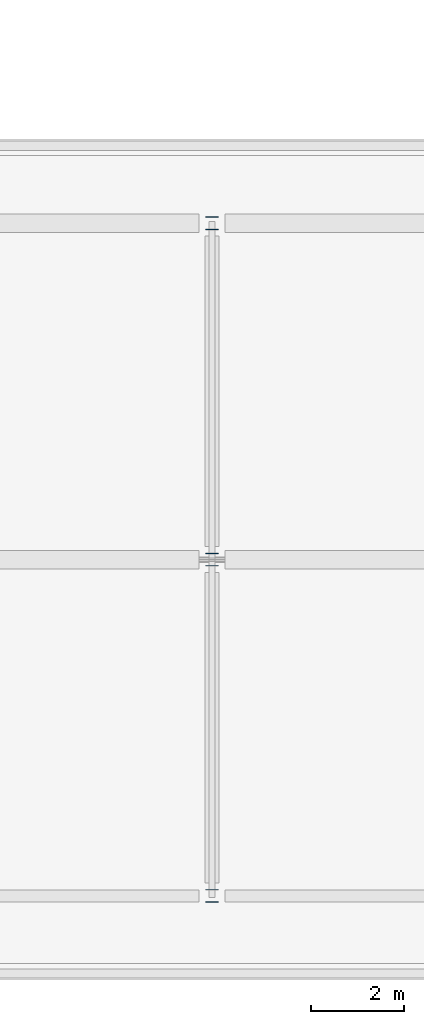
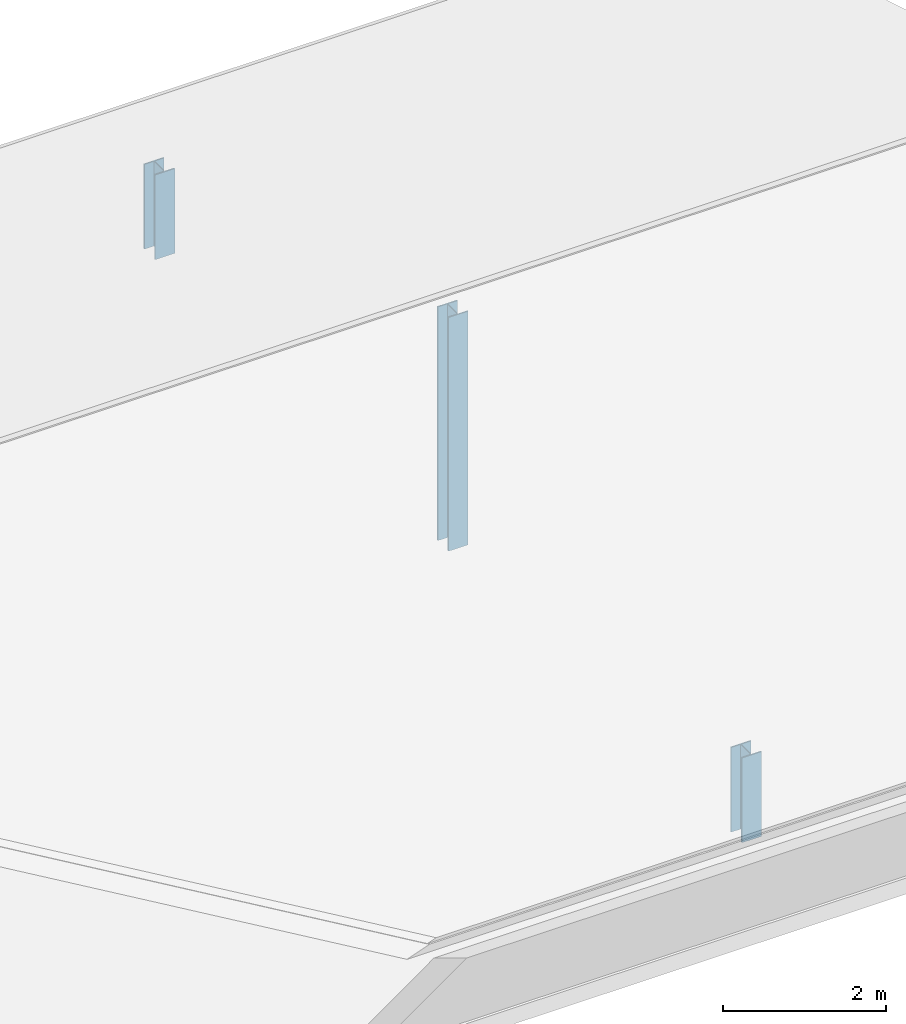
# One storey, part 2 of 60: 3 columns.
"""IFC4 building model written with IfcOpenShell, lengths in metres."""

from ifc_helpers import new_model, si_unit, direction, frame, origin, origin_2d, place, context, subcontext, project, spatial, i_section, extrude, material, material_profile, profile_set, type_object, element, save


model = new_model("IFC4")

# Units and contexts
model_context = context("Model", 3, precision=1e-05, world=origin(), true_north=direction((0.0, 1.0)))
body_context = subcontext(model_context, "Body", "Model", "MODEL_VIEW")
ifc_project = project(units=[si_unit("LENGTHUNIT", "METRE"), si_unit("AREAUNIT", "SQUARE_METRE"), si_unit("VOLUMEUNIT", "CUBIC_METRE"), si_unit("PLANEANGLEUNIT", "RADIAN"), si_unit("MASSUNIT", "GRAM", prefix="KILO")], contexts=[model_context])

# Site, building, storey
site_placement = place(None, origin())
site = spatial("IfcSite", under=ifc_project, at=site_placement, CompositionType="ELEMENT")
building_placement = place(site_placement, origin())
building = spatial("IfcBuilding", under=site, at=building_placement, Name="Suanplinth Sawtooth Commons", CompositionType="ELEMENT")
storey_placement = place(building_placement, frame((0.0, 0.0, 31.5)))
storey = spatial("IfcBuildingStorey", under=building, at=storey_placement, Name="L09", CompositionType="ELEMENT", Elevation=31.5)

# Columns
ifc_material = material(Name="Steel S355JR", Category="steel")
ifc_material_profile = material_profile(ifc_material, i_section(OverallWidth=0.280029296875, OverallDepth=0.280029296875, WebThickness=0.010498046875, FlangeThickness=0.01806640625, at=origin_2d()), Name="HEB 280")
ifc_profile_set = profile_set([ifc_material_profile], Name="Steel S355JR")
column_type = type_object("IfcColumnType", Name="C-11", PredefinedType="COLUMN", material=ifc_profile_set)
column_1_placement = place(storey_placement, frame((43.199951171875, 0.0, 0.0), z_axis=(0.0, 0.0, 1.0), x_axis=(1.0, 0.0, 0.0)))
element("IfcColumn", 1, at=column_1_placement, inside=storey, type_object=column_type, Name="Crown Post D 7", PredefinedType="COLUMN", context=body_context, shape_type="SweptSolid", body=[
    extrude(i_section(OverallWidth=0.280029296875, OverallDepth=0.280029296875, WebThickness=0.010498046875, FlangeThickness=0.01806640625, at=origin_2d()), origin(), (0.0, 0.0, 1.0), 1.27001953125),
])
column_2_placement = place(storey_placement, frame((43.199951171875, 7.199951171875, 0.0), z_axis=(0.0, 0.0, 1.0), x_axis=(1.0, 0.0, 0.0)))
element("IfcColumn", 2, at=column_2_placement, inside=storey, type_object=column_type, Name="Crown Post D 7", PredefinedType="COLUMN", context=body_context, shape_type="SweptSolid", body=[
    extrude(i_section(OverallWidth=0.280029296875, OverallDepth=0.280029296875, WebThickness=0.010498046875, FlangeThickness=0.01806640625, at=origin_2d()), origin(), (0.0, 0.0, 1.0), 3.5),
])
column_3_placement = place(storey_placement, frame((43.199951171875, 14.39990234375, 0.0), z_axis=(0.0, 0.0, 1.0), x_axis=(1.0, 0.0, 0.0)))
element("IfcColumn", 3, at=column_3_placement, inside=storey, type_object=column_type, Name="Crown Post D 7", PredefinedType="COLUMN", context=body_context, shape_type="SweptSolid", body=[
    extrude(i_section(OverallWidth=0.280029296875, OverallDepth=0.280029296875, WebThickness=0.010498046875, FlangeThickness=0.01806640625, at=origin_2d()), origin(), (0.0, 0.0, 1.0), 1.27001953125),
])

save(model, "model.ifc")
